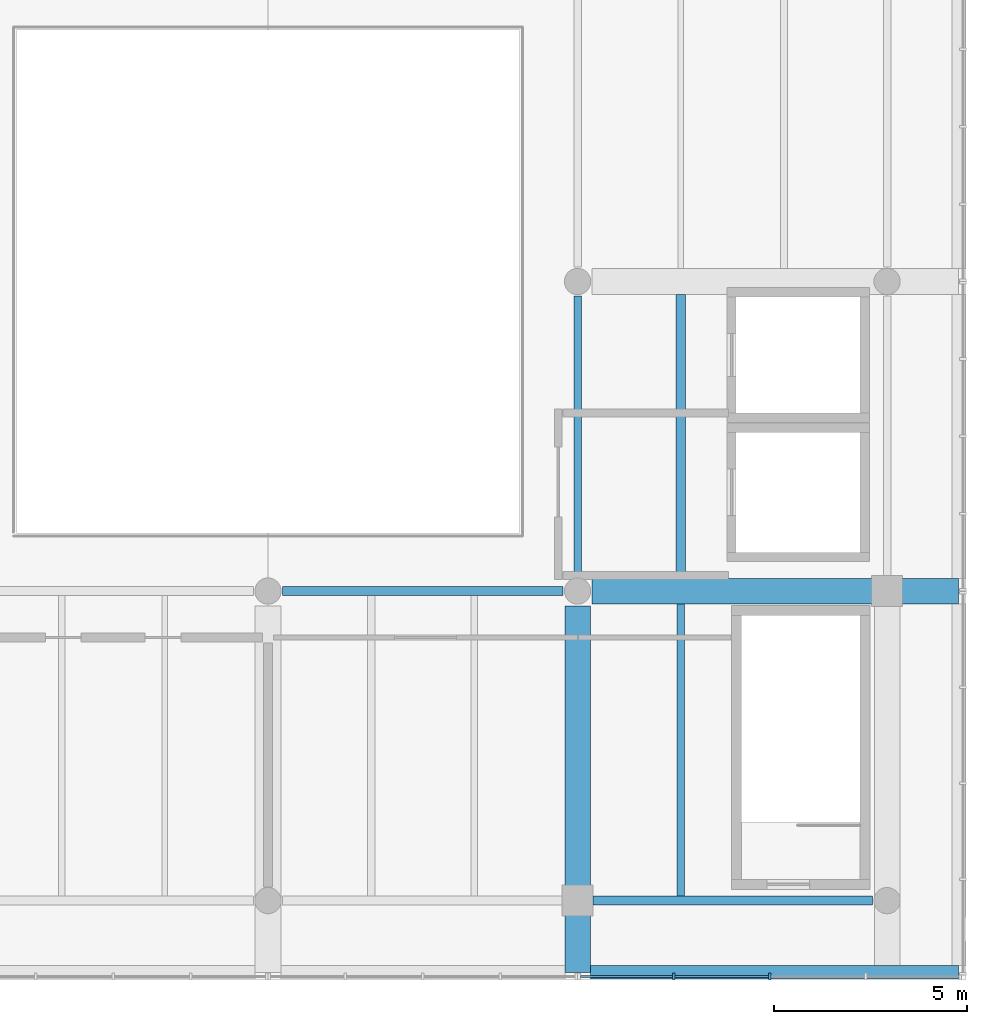
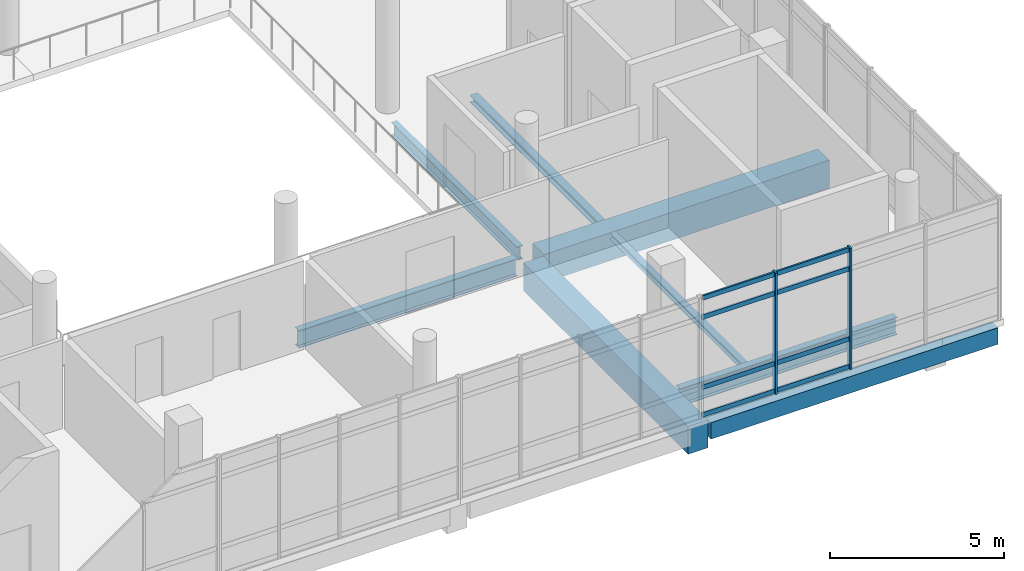
# One storey, part 4 of 15: 10 members, 8 beams, 1 element without a shape of its own.
"""IFC4 building model written with IfcOpenShell, lengths in metres."""

import ifcopenshell
import ifcopenshell.guid

model = None  # the IFC model being written
_history = None  # IfcOwnerHistory: only IFC2X3 demands one
_inside = {}  # id of a spatial element -> (the spatial element, [elements in it])
_under = {}  # id of a project, library or spatial element -> (it, [spatial elements below it])
_declared = {}  # id of a project -> (the project, [libraries it declares])
_typed = {}  # id of a type object -> (the type object, [elements of that type])
_made_of = {}  # id of a material, layer set ... -> (it, [elements and type objects made of it])


def new_model(schema):
    """Start an empty IFC model of exactly this schema.

    Asked for "IFC4X3", IfcOpenShell would pick the latest addendum, in which some entities
    have other attributes; the version numbers below select the first issue.
    IFC2X3 requires an IfcOwnerHistory on every rooted entity: one is made here for all.
    """
    global model, _history
    if schema == "IFC4X3":
        model = ifcopenshell.file(schema_version=(4, 3, 0, 0))
    else:
        model = ifcopenshell.file(schema=schema)
    _inside.clear()
    _under.clear()
    _declared.clear()
    _typed.clear()
    _made_of.clear()
    _history = None
    if model.schema == "IFC2X3":
        org = make("IfcOrganization", Name="unknown")
        user = make(
            "IfcPersonAndOrganization",
            ThePerson=make("IfcPerson", FamilyName="unknown"),
            TheOrganization=org,
        )
        app = make(
            "IfcApplication",
            ApplicationDeveloper=org,
            Version="unknown",
            ApplicationFullName="unknown",
            ApplicationIdentifier="unknown",
        )
        _history = make(
            "IfcOwnerHistory",
            OwningUser=user,
            OwningApplication=app,
            ChangeAction="ADDED",
            CreationDate=0,
        )
    return model


def make(cls, **values):
    """One entity of the class cls with the attributes given. An attribute that is None is left unset."""
    return model.create_entity(
        cls, **{name: value for name, value in values.items() if value is not None}
    )


def rooted(cls, **values):
    """An entity with a GlobalId (a new one), such as an element, a storey or a relation."""
    return make(cls, GlobalId=ifcopenshell.guid.new(), OwnerHistory=_history, **values)


def si_unit(unit_type, name, prefix=None):
    """IfcSIUnit, for example si_unit("LENGTHUNIT", "METRE", prefix="MILLI")."""
    return make("IfcSIUnit", UnitType=unit_type, Prefix=prefix, Name=name)


def assignment(units):
    """IfcUnitAssignment: the units of a project."""
    return None if units is None else make("IfcUnitAssignment", Units=units)


def point(xyz):
    """IfcCartesianPoint."""
    return None if xyz is None else make("IfcCartesianPoint", Coordinates=xyz)


def direction(xyz):
    """IfcDirection."""
    return None if xyz is None else make("IfcDirection", DirectionRatios=xyz)


def frame(location, z_axis=None, x_axis=None):
    """IfcAxis2Placement3D, a coordinate frame: its origin and axes. An axis left out is left unset."""
    return make(
        "IfcAxis2Placement3D",
        Location=point(location),
        Axis=direction(z_axis),
        RefDirection=direction(x_axis),
    )


def frame_2d(location, x_axis=None):
    """IfcAxis2Placement2D, a coordinate frame in the plane: its origin and x axis."""
    return make(
        "IfcAxis2Placement2D", Location=point(location), RefDirection=direction(x_axis)
    )


def origin():
    """The frame at (0, 0, 0) with its axes left unset."""
    return frame((0.0, 0.0, 0.0))


def origin_2d():
    """The frame at (0, 0) in the plane with its x axis left unset."""
    return frame_2d((0.0, 0.0))


def place(relative_to, where):
    """IfcLocalPlacement: puts the frame where relative to a parent placement (None: the world)."""
    return make(
        "IfcLocalPlacement", PlacementRelTo=relative_to, RelativePlacement=where
    )


def context(
    kind, dimensions, precision=None, world=None, true_north=None, identifier=None
):
    """IfcGeometricRepresentationContext, for example the 3D "Model" context."""
    return make(
        "IfcGeometricRepresentationContext",
        ContextIdentifier=identifier,
        ContextType=kind,
        CoordinateSpaceDimension=dimensions,
        Precision=precision,
        WorldCoordinateSystem=world,
        TrueNorth=true_north,
    )


def subcontext(parent, identifier, kind, view, scale=None):
    """IfcGeometricRepresentationSubContext, for example "Body" below "Model"."""
    return make(
        "IfcGeometricRepresentationSubContext",
        ContextIdentifier=identifier,
        ContextType=kind,
        ParentContext=parent,
        TargetScale=scale,
        TargetView=view,
    )


def project(units=None, contexts=None):
    """IfcProject with its units and contexts."""
    return rooted(
        "IfcProject",
        Name="project",
        RepresentationContexts=contexts,
        UnitsInContext=assignment(units),
    )


def spatial(cls, under=None, at=None, **own):
    """A site, building, storey or space (cls), placed at a placement, below another one or the project."""
    s = rooted(cls, ObjectPlacement=at, **own)
    if under is not None:
        _under.setdefault(under.id(), (under, []))[1].append(s)
    return s


def profile(cls, at=None, kind="AREA", **sizes):
    """A parametric profile (cls). Its sizes go by their IFC names, for example OverallWidth=200.0."""
    return make(cls, ProfileType=kind, Position=at, **sizes)


def rectangle(**sizes):
    """IfcRectangleProfileDef."""
    return profile("IfcRectangleProfileDef", **sizes)


def i_section(**sizes):
    """IfcIShapeProfileDef."""
    return profile("IfcIShapeProfileDef", **sizes)


def extrude(swept, where, along, depth):
    """IfcExtrudedAreaSolid: the profile swept, set in the frame where, extruded along a direction by depth."""
    return make(
        "IfcExtrudedAreaSolid",
        SweptArea=swept,
        Position=where,
        ExtrudedDirection=direction(along),
        Depth=depth,
    )


def shape(context_of_items, identifier, shape_type, items):
    """IfcShapeRepresentation: the items that make up one representation, for example the "Body"."""
    return make(
        "IfcShapeRepresentation",
        ContextOfItems=context_of_items,
        RepresentationIdentifier=identifier,
        RepresentationType=shape_type,
        Items=items,
    )


def material(Name=None, Category=None):
    """IfcMaterial."""
    return make("IfcMaterial", Name=Name, Category=Category)


def material_profile(
    of_material, cross_section, Name=None, Category=None, Priority=None
):
    """IfcMaterialProfile: a cross section and its material."""
    return make(
        "IfcMaterialProfile",
        Name=Name,
        Material=of_material,
        Profile=cross_section,
        Priority=Priority,
        Category=Category,
    )


def profile_set(profiles, Name=None, composite=None):
    """IfcMaterialProfileSet."""
    return make(
        "IfcMaterialProfileSet",
        Name=Name,
        MaterialProfiles=profiles,
        CompositeProfile=composite,
    )


def made_of(thing, what):
    """Note that an element or type object is made of a material, layer set ...; save() writes the relation."""
    if what is not None:
        _made_of.setdefault(what.id(), (what, []))[1].append(thing)
    return thing


def type_object(cls, material=None, **own):
    """A type object (cls), such as IfcWallType, which elements share."""
    return made_of(rooted(cls, **own), material)


def element(
    cls,
    number,
    at=None,
    inside=None,
    cuts=None,
    type_object=None,
    material=None,
    context=None,
    identifier="Body",
    shape_type=None,
    held_by="IfcProductDefinitionShape",
    body=None,
    shapes=None,
    **own,
):
    """One element of the class cls, such as IfcWall. Its Tag is "e" and its number.

    at: its placement. inside: the storey or other place that contains it. cuts: it is an
    opening in that element (IfcRelVoidsElement). A single representation is given by context,
    identifier, shape_type and body (its items); several are given by shapes. held_by: the class
    of the entity that holds the representations. save() writes the other relations.
    """
    e = rooted(cls, Tag="e%d" % number, ObjectPlacement=at, **own)
    if body is not None:
        shapes = [shape(context, identifier, shape_type, body)]
    if shapes is not None:
        e.Representation = make(held_by, Representations=shapes)
    if inside is not None:
        _inside.setdefault(inside.id(), (inside, []))[1].append(e)
    if cuts is not None:
        rooted(
            "IfcRelVoidsElement", RelatingBuildingElement=cuts, RelatedOpeningElement=e
        )
    if type_object is not None:
        _typed.setdefault(type_object.id(), (type_object, []))[1].append(e)
    return made_of(e, material)


def aggregate(whole, parts):
    """IfcRelAggregates: a whole, such as a stair, and the parts it consists of."""
    return rooted("IfcRelAggregates", RelatingObject=whole, RelatedObjects=parts)


def save(model, path):
    """Write the relations noted so far, then the file.

    IfcRelAggregates (storeys below a building ...), IfcRelContainedInSpatialStructure (elements
    in a storey), IfcRelDefinesByType, IfcRelAssociatesMaterial and IfcRelDeclares: one each for
    every whole, place, type object, material and project.
    """
    for whole, parts in _under.values():
        aggregate(whole, parts)
    for where, things in _inside.values():
        rooted(
            "IfcRelContainedInSpatialStructure",
            RelatedElements=things,
            RelatingStructure=where,
        )
    for kind, things in _typed.values():
        rooted("IfcRelDefinesByType", RelatedObjects=things, RelatingType=kind)
    for what, things in _made_of.values():
        rooted("IfcRelAssociatesMaterial", RelatedObjects=things, RelatingMaterial=what)
    for by, libraries in _declared.values():
        rooted("IfcRelDeclares", RelatingContext=by, RelatedDefinitions=libraries)
    model.write(path)


model = new_model("IFC4")

# Units and contexts
model_context = context("Model", 3, precision=1e-05, world=origin(), true_north=direction((0.0, 1.0)))
body_context = subcontext(model_context, "Body", "Model", "MODEL_VIEW")
ifc_project = project(units=[si_unit("LENGTHUNIT", "METRE"), si_unit("AREAUNIT", "SQUARE_METRE"), si_unit("VOLUMEUNIT", "CUBIC_METRE"), si_unit("PLANEANGLEUNIT", "RADIAN"), si_unit("MASSUNIT", "GRAM", prefix="KILO")], contexts=[model_context])

# Site, building, storey
site_placement = place(None, origin())
site = spatial("IfcSite", under=ifc_project, at=site_placement, CompositionType="ELEMENT")
building_placement = place(site_placement, origin())
building = spatial("IfcBuilding", under=site, at=building_placement, Name="Pecanmere Concourse Central Library", CompositionType="ELEMENT")
storey_placement = place(building_placement, frame((0.0, 0.0, 30.300048828125)))
storey = spatial("IfcBuildingStorey", under=building, at=storey_placement, Name="L07", CompositionType="ELEMENT", Elevation=30.300048828125)

# Curtain wall, members
ifc_material_1 = material(Name="Anodized bronze aluminium alloy 6063-T6", Category="aluminium")
curtain_wall_type = type_object("IfcCurtainWallType", Name="CW_PLUMB_BANDED", PredefinedType="USERDEFINED", material=ifc_material_1)
curtain_wall_placement = place(storey_placement, origin())
curtain_wall = element("IfcCurtainWall", 1, at=curtain_wall_placement, inside=storey, type_object=curtain_wall_type, Name="Unitised Curtain Wall CW-02 L07-092", ObjectType="UNITISED CURTAIN WALL", PredefinedType="USERDEFINED")
ifc_material_2 = material(Name="Anodized bronze aluminium alloy 6063-T6", Category="aluminium")
ifc_material_profile_1 = material_profile(ifc_material_2, rectangle(XDim=0.06494140625, YDim=0.179931640625, at=origin_2d()), Name="AL 65x180")
ifc_profile_set_1 = profile_set([ifc_material_profile_1], Name="Anodized bronze aluminium alloy 6063-T6")
member_type_1 = type_object("IfcMemberType", Name="CWM_180x65", PredefinedType="MULLION", material=ifc_profile_set_1)
member_1_placement = place(storey_placement, frame((98.484130859375, 88.03857421875, 0.0), z_axis=(0.0, 0.0, 1.0), x_axis=(1.0, 0.0, 0.0)))
member_1 = element("IfcMember", 2, at=member_1_placement, type_object=member_type_1, Name="CW-02 Mullion 2", PredefinedType="MULLION", context=body_context, shape_type="SweptSolid", body=[
    extrude(rectangle(XDim=0.06494140625, YDim=0.179931640625, at=origin_2d()), origin(), (0.0, 0.0, 1.0), 4.260009765625),
])
member_2_placement = place(storey_placement, frame((100.963134765625, 88.03857421875, 0.0), z_axis=(0.0, 0.0, 1.0), x_axis=(1.0, 0.0, 0.0)))
member_2 = element("IfcMember", 3, at=member_2_placement, type_object=member_type_1, Name="CW-02 Mullion 3", PredefinedType="MULLION", context=body_context, shape_type="SweptSolid", body=[
    extrude(rectangle(XDim=0.06494140625, YDim=0.179931640625, at=origin_2d()), origin(), (0.0, 0.0, 1.0), 4.260009765625),
])
ifc_material_3 = material(Name="Anodized bronze aluminium alloy 6063-T6", Category="aluminium")
ifc_material_profile_2 = material_profile(ifc_material_3, rectangle(XDim=0.06005859375, YDim=0.159912109375, at=origin_2d()), Name="AL 60x160")
ifc_profile_set_2 = profile_set([ifc_material_profile_2], Name="Anodized bronze aluminium alloy 6063-T6")
member_type_2 = type_object("IfcMemberType", Name="CWT_160x60", PredefinedType="USERDEFINED", material=ifc_profile_set_2)
member_3_placement = place(storey_placement, frame((96.070068359375, 88.03857421875, 0.079833984375), z_axis=(1.0, 0.0, 0.0), x_axis=(0.0, 1.0, 0.0)))
member_3 = element("IfcMember", 4, at=member_3_placement, type_object=member_type_2, Name="CW-02 Transom 1.1", ObjectType="TRANSOM", PredefinedType="USERDEFINED", context=body_context, shape_type="SweptSolid", body=[
    extrude(rectangle(XDim=0.06005859375, YDim=0.159912109375, at=origin_2d()), origin(), (0.0, 0.0, 1.0), 2.381591796875),
])
member_4_placement = place(storey_placement, frame((96.070068359375, 88.03857421875, 1.050048828125), z_axis=(1.0, 0.0, 0.0), x_axis=(0.0, 1.0, 0.0)))
member_4 = element("IfcMember", 5, at=member_4_placement, type_object=member_type_2, Name="CW-02 Transom 1.2", ObjectType="TRANSOM", PredefinedType="USERDEFINED", context=body_context, shape_type="SweptSolid", body=[
    extrude(rectangle(XDim=0.06005859375, YDim=0.159912109375, at=origin_2d()), origin(), (0.0, 0.0, 1.0), 2.381591796875),
])
member_5_placement = place(storey_placement, frame((96.070068359375, 88.03857421875, 3.510009765625), z_axis=(1.0, 0.0, 0.0), x_axis=(0.0, 1.0, 0.0)))
member_5 = element("IfcMember", 6, at=member_5_placement, type_object=member_type_2, Name="CW-02 Transom 1.3", ObjectType="TRANSOM", PredefinedType="USERDEFINED", context=body_context, shape_type="SweptSolid", body=[
    extrude(rectangle(XDim=0.06005859375, YDim=0.159912109375, at=origin_2d()), origin(), (0.0, 0.0, 1.0), 2.381591796875),
])
member_6_placement = place(storey_placement, frame((96.070068359375, 88.03857421875, 4.179931640625), z_axis=(1.0, 0.0, 0.0), x_axis=(0.0, 1.0, 0.0)))
member_6 = element("IfcMember", 7, at=member_6_placement, type_object=member_type_2, Name="CW-02 Transom 1.4", ObjectType="TRANSOM", PredefinedType="USERDEFINED", context=body_context, shape_type="SweptSolid", body=[
    extrude(rectangle(XDim=0.06005859375, YDim=0.159912109375, at=origin_2d()), origin(), (0.0, 0.0, 1.0), 2.381591796875),
])
member_7_placement = place(storey_placement, frame((98.5166015625, 88.03857421875, 0.079833984375), z_axis=(1.0, 0.0, 0.0), x_axis=(0.0, 1.0, 0.0)))
member_7 = element("IfcMember", 8, at=member_7_placement, type_object=member_type_2, Name="CW-02 Transom 2.1", ObjectType="TRANSOM", PredefinedType="USERDEFINED", context=body_context, shape_type="SweptSolid", body=[
    extrude(rectangle(XDim=0.06005859375, YDim=0.159912109375, at=origin_2d()), origin(), (0.0, 0.0, 1.0), 2.4140625),
])
member_8_placement = place(storey_placement, frame((98.5166015625, 88.03857421875, 1.050048828125), z_axis=(1.0, 0.0, 0.0), x_axis=(0.0, 1.0, 0.0)))
member_8 = element("IfcMember", 9, at=member_8_placement, type_object=member_type_2, Name="CW-02 Transom 2.2", ObjectType="TRANSOM", PredefinedType="USERDEFINED", context=body_context, shape_type="SweptSolid", body=[
    extrude(rectangle(XDim=0.06005859375, YDim=0.159912109375, at=origin_2d()), origin(), (0.0, 0.0, 1.0), 2.4140625),
])
member_9_placement = place(storey_placement, frame((98.5166015625, 88.03857421875, 3.510009765625), z_axis=(1.0, 0.0, 0.0), x_axis=(0.0, 1.0, 0.0)))
member_9 = element("IfcMember", 10, at=member_9_placement, type_object=member_type_2, Name="CW-02 Transom 2.3", ObjectType="TRANSOM", PredefinedType="USERDEFINED", context=body_context, shape_type="SweptSolid", body=[
    extrude(rectangle(XDim=0.06005859375, YDim=0.159912109375, at=origin_2d()), origin(), (0.0, 0.0, 1.0), 2.4140625),
])
member_10_placement = place(storey_placement, frame((98.5166015625, 88.03857421875, 4.179931640625), z_axis=(1.0, 0.0, 0.0), x_axis=(0.0, 1.0, 0.0)))
member_10 = element("IfcMember", 11, at=member_10_placement, type_object=member_type_2, Name="CW-02 Transom 2.4", ObjectType="TRANSOM", PredefinedType="USERDEFINED", context=body_context, shape_type="SweptSolid", body=[
    extrude(rectangle(XDim=0.06005859375, YDim=0.159912109375, at=origin_2d()), origin(), (0.0, 0.0, 1.0), 2.4140625),
])
aggregate(curtain_wall, [member_1, member_2, member_3, member_4, member_5, member_6, member_7, member_8, member_9, member_10])

# Beams
ifc_material_4 = material(Name="Concrete C40/50", Category="concrete")
ifc_material_profile_3 = material_profile(ifc_material_4, rectangle(XDim=0.659912109375, YDim=0.97998046875, at=origin_2d()), Name="RC 660x980")
ifc_profile_set_3 = profile_set([ifc_material_profile_3], Name="Concrete C40/50")
beam_type_1 = type_object("IfcBeamType", Name="GRD_660x980", PredefinedType="USERDEFINED", material=ifc_profile_set_3)
for number, where, z_axis, x_axis, name in (
    (12, (96.3798828125, 98.0, -0.75), (1.0, 0.0, 0.0), (0.0, 1.0, 0.0), "Primary Girder X L07-2793"),
    (13, (96.0, 88.1484375, -0.75), (0.0, 1.0, 0.0), (-1.0, 0.0, 0.0), "Primary Girder Y L07-2814"),
):
    element("IfcBeam", number, at=place(storey_placement, frame(where, z_axis=z_axis, x_axis=x_axis)), inside=storey, type_object=beam_type_1, Name=name, ObjectType="GIRDER", PredefinedType="USERDEFINED", context=body_context, shape_type="SweptSolid", body=[
        extrude(rectangle(XDim=0.659912109375, YDim=0.97998046875, at=origin_2d()), origin(), (0.0, 0.0, 1.0), 9.4716796875),
    ])
ifc_material_5 = material(Name="Structural steel ASTM A992 Grade 50", Category="steel")
ifc_material_profile_4 = material_profile(ifc_material_5, i_section(OverallWidth=0.2041015625, OverallDepth=0.2060546875, WebThickness=0.0078125, FlangeThickness=0.0126953125, at=origin_2d()), Name="W200x52")
ifc_profile_set_4 = profile_set([ifc_material_profile_4], Name="Structural steel ASTM A992 Grade 50")
beam_type_2 = type_object("IfcBeamType", Name="SBM_W200x52", PredefinedType="JOIST", material=ifc_profile_set_4)
beam_1_placement = place(storey_placement, frame((98.666748046875, 90.114990234375, -0.363037109375), z_axis=(0.0, 1.0, 0.0), x_axis=(-1.0, 0.0, 0.0)))
element("IfcBeam", 14, at=beam_1_placement, inside=storey, type_object=beam_type_2, Name="Secondary Floor Joist L07-2851", PredefinedType="JOIST", context=body_context, shape_type="SweptSolid", body=[
    extrude(i_section(OverallWidth=0.2041015625, OverallDepth=0.2060546875, WebThickness=0.0078125, FlangeThickness=0.0126953125, at=origin_2d()), origin(), (0.0, 0.0, 1.0), 7.554931640625),
])
ifc_material_6 = material(Name="Structural steel ASTM A992 Grade 50", Category="steel")
ifc_material_profile_5 = material_profile(ifc_material_6, i_section(OverallWidth=0.25390625, OverallDepth=0.2529296875, WebThickness=0.008544921875, FlangeThickness=0.01416015625, at=origin_2d()), Name="W250x73")
ifc_profile_set_5 = profile_set([ifc_material_profile_5], Name="Structural steel ASTM A992 Grade 50")
beam_type_3 = type_object("IfcBeamType", Name="SBM_W250x73", PredefinedType="BEAM", material=ifc_profile_set_5)
beam_2_placement = place(storey_placement, frame((98.666748046875, 98.330078125, -0.386474609375), z_axis=(0.0, 1.0, 0.0), x_axis=(-1.0, 0.0, 0.0)))
element("IfcBeam", 15, at=beam_2_placement, inside=storey, type_object=beam_type_3, Name="Secondary Floor Joist L07-2852", PredefinedType="BEAM", context=body_context, shape_type="SweptSolid", body=[
    extrude(i_section(OverallWidth=0.25390625, OverallDepth=0.2529296875, WebThickness=0.008544921875, FlangeThickness=0.01416015625, at=origin_2d()), origin(), (0.0, 0.0, 1.0), 7.33984375),
])
ifc_material_7 = material(Name="Structural steel ASTM A992 Grade 50", Category="steel")
ifc_material_profile_6 = material_profile(ifc_material_7, i_section(OverallWidth=0.194091796875, OverallDepth=0.468994140625, WebThickness=0.0126953125, FlangeThickness=0.0205078125, at=origin_2d()), Name="W460x106")
ifc_profile_set_6 = profile_set([ifc_material_profile_6], Name="Structural steel ASTM A992 Grade 50")
beam_type_4 = type_object("IfcBeamType", Name="SBM_W460x106", PredefinedType="USERDEFINED", material=ifc_profile_set_6)
beam_3_placement = place(storey_placement, frame((96.0, 98.3798828125, -0.49462890625), z_axis=(0.0, 1.0, 0.0), x_axis=(-1.0, 0.0, 0.0)))
element("IfcBeam", 16, at=beam_3_placement, inside=storey, type_object=beam_type_4, Name="Primary Girder Y L07-2815", ObjectType="GIRDER", PredefinedType="USERDEFINED", context=body_context, shape_type="SweptSolid", body=[
    extrude(i_section(OverallWidth=0.194091796875, OverallDepth=0.468994140625, WebThickness=0.0126953125, FlangeThickness=0.0205078125, at=origin_2d()), origin(), (0.0, 0.0, 1.0), 7.240234375),
])
ifc_material_8 = material(Name="Structural steel ASTM A992 Grade 50", Category="steel")
ifc_material_profile_7 = material_profile(ifc_material_8, i_section(OverallWidth=0.22998046875, OverallDepth=0.616943359375, WebThickness=0.01318359375, FlangeThickness=0.022216796875, at=origin_2d()), Name="W610x140")
ifc_profile_set_7 = profile_set([ifc_material_profile_7], Name="Structural steel ASTM A992 Grade 50")
beam_type_5 = type_object("IfcBeamType", Name="SBM_W610x140", PredefinedType="USERDEFINED", material=ifc_profile_set_7)
beam_4_placement = place(storey_placement, frame((96.39990234375, 90.0, -0.568603515625), z_axis=(1.0, 0.0, 0.0), x_axis=(0.0, 1.0, 0.0)))
element("IfcBeam", 17, at=beam_4_placement, inside=storey, type_object=beam_type_5, Name="Primary Girder X L07-2789", ObjectType="GIRDER", PredefinedType="USERDEFINED", context=body_context, shape_type="SweptSolid", body=[
    extrude(i_section(OverallWidth=0.22998046875, OverallDepth=0.616943359375, WebThickness=0.01318359375, FlangeThickness=0.022216796875, at=origin_2d()), origin(), (0.0, 0.0, 1.0), 7.22021484375),
])
beam_5_placement = place(storey_placement, frame((88.3798828125, 98.0, -0.568603515625), z_axis=(1.0, 0.0, 0.0), x_axis=(0.0, 1.0, 0.0)))
element("IfcBeam", 18, at=beam_5_placement, inside=storey, type_object=beam_type_5, Name="Primary Girder X L07-2792", ObjectType="GIRDER", PredefinedType="USERDEFINED", context=body_context, shape_type="SweptSolid", body=[
    extrude(i_section(OverallWidth=0.22998046875, OverallDepth=0.616943359375, WebThickness=0.01318359375, FlangeThickness=0.022216796875, at=origin_2d()), origin(), (0.0, 0.0, 1.0), 7.240234375),
])
ifc_material_9 = material(Name="Concrete C40/50", Category="concrete")
ifc_material_profile_8 = material_profile(ifc_material_9, rectangle(XDim=0.340087890625, YDim=0.580078125, at=origin_2d()), Name="RC 340x580")
ifc_profile_set_8 = profile_set([ifc_material_profile_8], Name="Concrete C40/50")
beam_type_6 = type_object("IfcBeamType", Name="SPB_340x580", PredefinedType="BEAM", material=ifc_profile_set_8)
beam_6_placement = place(storey_placement, frame((96.330078125, 88.1484375, -0.550048828125), z_axis=(1.0, 0.0, 0.0), x_axis=(0.0, 1.0, 0.0)))
element("IfcBeam", 19, at=beam_6_placement, inside=storey, type_object=beam_type_6, Name="Leaning Facade Edge Beam L07-2825", PredefinedType="BEAM", context=body_context, shape_type="SweptSolid", body=[
    extrude(rectangle(XDim=0.340087890625, YDim=0.580078125, at=origin_2d()), origin(), (0.0, 0.0, 1.0), 9.521484375),
])

save(model, "model.ifc")
